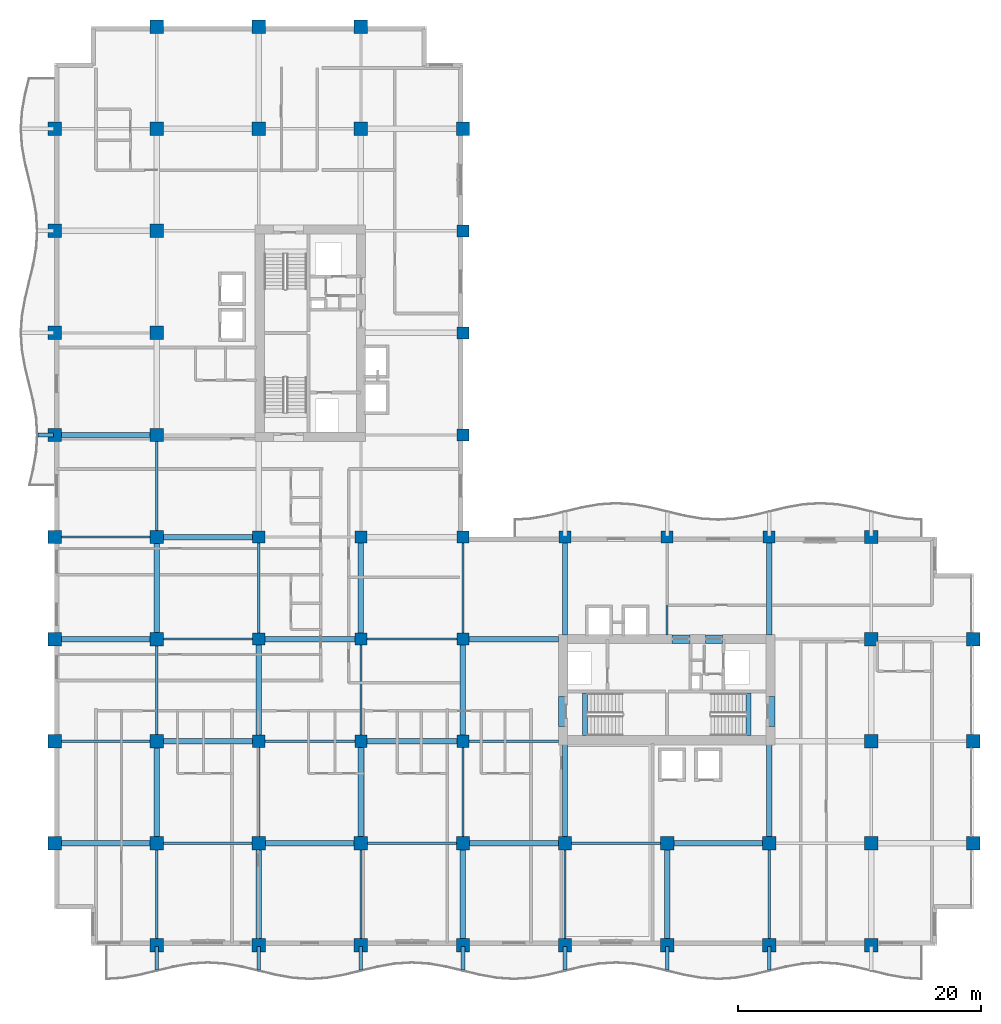
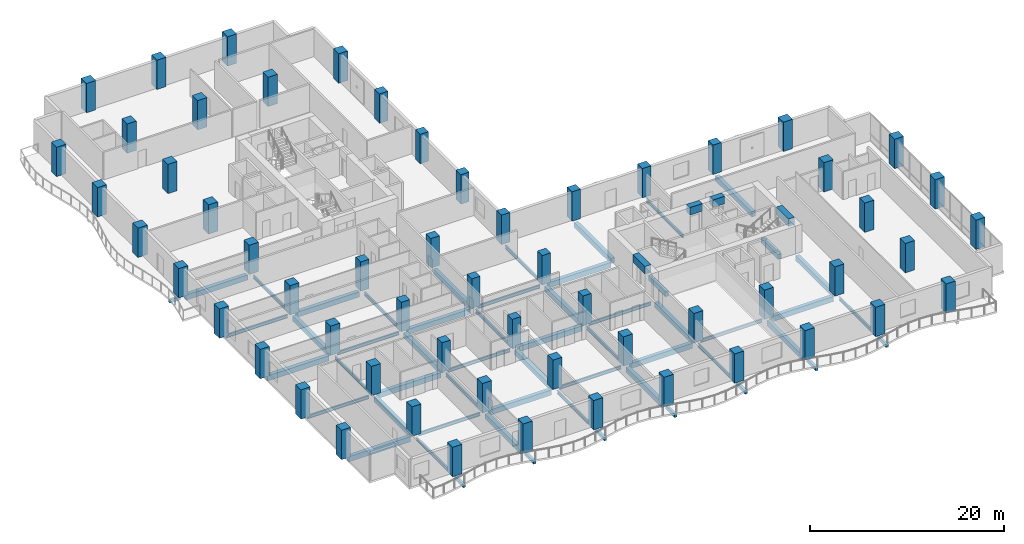
# One storey, part 1 of 22: 59 beams, 58 columns.
"""IFC4 building model written with IfcOpenShell, lengths in metres."""

from ifc_helpers import new_model, si_unit, direction, frame, origin, origin_2d, place, context, subcontext, project, spatial, rectangle, i_section, extrude, material, material_profile, profile_set, type_object, element, save


model = new_model("IFC4")

# Units and contexts
model_context = context("Model", 3, precision=1e-05, world=origin(), true_north=direction((0.0, 1.0)))
body_context = subcontext(model_context, "Body", "Model", "MODEL_VIEW")
ifc_project = project(units=[si_unit("LENGTHUNIT", "METRE"), si_unit("AREAUNIT", "SQUARE_METRE"), si_unit("VOLUMEUNIT", "CUBIC_METRE"), si_unit("PLANEANGLEUNIT", "RADIAN"), si_unit("MASSUNIT", "GRAM", prefix="KILO")], contexts=[model_context])

# Site, building, storey
site_placement = place(None, origin())
site = spatial("IfcSite", under=ifc_project, at=site_placement, CompositionType="ELEMENT")
building_placement = place(site_placement, origin())
building = spatial("IfcBuilding", under=site, at=building_placement, Name="Koriwani Terraces Tower", CompositionType="ELEMENT")
storey_placement = place(building_placement, frame((0.0, 0.0, 182.800048828125)))
storey = spatial("IfcBuildingStorey", under=building, at=storey_placement, Name="L44", CompositionType="ELEMENT", Elevation=182.800048828125)

# Columns
ifc_material_1 = material(Name="Concrete C50/60", Category="concrete")
ifc_material_profile_1 = material_profile(ifc_material_1, rectangle(XDim=1.0, YDim=1.0, at=origin_2d()), Name="Concrete C50/60", Category="LoadBearing")
ifc_profile_set_1 = profile_set([ifc_material_profile_1], Name="Concrete C50/60")
column_type_1 = type_object("IfcColumnType", Name="COL_RC_1000X1000", PredefinedType="COLUMN", material=ifc_profile_set_1)
for number, where, z_axis, x_axis, name in (
    (1, (16.800048828125, 16.800048828125, 0.0), (0.0, 0.0, 1.0), (1.0, 0.0, 0.0), "L44 Column 3/C"),
    (2, (16.800048828125, 25.199951171875, 0.0), (0.0, 0.0, 1.0), (1.0, 0.0, 0.0), "L44 Column 3/D"),
    (3, (16.800048828125, 33.60009765625, 0.0), (0.0, 0.0, 1.0), (1.0, 0.0, 0.0), "L44 Column 3/E"),
    (4, (25.199951171875, 16.800048828125, 0.0), (0.0, 0.0, 1.0), (1.0, 0.0, 0.0), "L44 Column 4/C"),
    (5, (25.199951171875, 25.199951171875, 0.0), (0.0, 0.0, 1.0), (1.0, 0.0, 0.0), "L44 Column 4/D"),
    (6, (25.199951171875, 33.60009765625, 0.0), (0.0, 0.0, 1.0), (1.0, 0.0, 0.0), "L44 Column 4/E"),
    (7, (33.60009765625, 16.800048828125, 0.0), (0.0, 0.0, 1.0), (1.0, 0.0, 0.0), "L44 Column 5/C"),
    (8, (33.60009765625, 25.199951171875, 0.0), (0.0, 0.0, 1.0), (1.0, 0.0, 0.0), "L44 Column 5/D"),
    (9, (33.60009765625, 33.60009765625, 0.0), (0.0, 0.0, 1.0), (1.0, 0.0, 0.0), "L44 Column 5/E"),
    (10, (33.60009765625, 42.0, 0.0), (0.0, 0.0, 1.0), (1.0, 0.0, 0.0), "L44 Column 5/F"),
    (11, (33.60009765625, 50.39990234375, 0.0), (0.0, 0.0, 1.0), (1.0, 0.0, 0.0), "L44 Column 5/G"),
    (12, (33.60009765625, 58.800048828125, 0.0), (0.0, 0.0, 1.0), (1.0, 0.0, 0.0), "L44 Column 5/H"),
    (13, (42.0, 33.60009765625, 0.0), (0.0, 0.0, 1.0), (1.0, 0.0, 0.0), "L44 Column 6/E"),
    (14, (50.39990234375, 33.60009765625, 0.0), (0.0, 0.0, 1.0), (1.0, 0.0, 0.0), "L44 Column 7/E"),
    (15, (58.800048828125, 33.60009765625, 0.0), (0.0, 0.0, 1.0), (1.0, 0.0, 0.0), "L44 Column 8/E"),
):
    element("IfcColumn", number, at=place(storey_placement, frame(where, z_axis=z_axis, x_axis=x_axis)), inside=storey, type_object=column_type_1, Name=name, PredefinedType="COLUMN", context=body_context, shape_type="SweptSolid", body=[
        extrude(rectangle(XDim=1.0, YDim=1.0, at=origin_2d()), origin(), (0.0, 0.0, 1.0), 3.699951171875),
    ])
ifc_material_profile_2 = material_profile(ifc_material_1, rectangle(XDim=1.10009765625, YDim=1.10009765625, at=origin_2d()), Name="Concrete C50/60", Category="LoadBearing")
ifc_profile_set_2 = profile_set([ifc_material_profile_2], Name="Concrete C50/60")
column_type_2 = type_object("IfcColumnType", Name="COL_RC_1100X1100", PredefinedType="COLUMN", material=ifc_profile_set_2)
for number, where, z_axis, x_axis, name in (
    (16, (0.0, 8.39990234375, 0.0), (0.0, 0.0, 1.0), (1.0, 0.0, 0.0), "L44 Column 1/B"),
    (17, (0.0, 16.800048828125, 0.0), (0.0, 0.0, 1.0), (1.0, 0.0, 0.0), "L44 Column 1/C"),
    (18, (0.0, 25.199951171875, 0.0), (0.0, 0.0, 1.0), (1.0, 0.0, 0.0), "L44 Column 1/D"),
    (19, (0.0, 33.60009765625, 0.0), (0.0, 0.0, 1.0), (1.0, 0.0, 0.0), "L44 Column 1/E"),
    (20, (0.0, 42.0, 0.0), (0.0, 0.0, 1.0), (1.0, 0.0, 0.0), "L44 Column 1/F"),
    (21, (0.0, 50.39990234375, 0.0), (0.0, 0.0, 1.0), (1.0, 0.0, 0.0), "L44 Column 1/G"),
    (22, (0.0, 58.800048828125, 0.0), (0.0, 0.0, 1.0), (1.0, 0.0, 0.0), "L44 Column 1/H"),
    (23, (0.0, 67.199951171875, 0.0), (0.0, 0.0, 1.0), (1.0, 0.0, 0.0), "L44 Column 1/I"),
    (24, (8.39990234375, 0.0, 0.0), (0.0, 0.0, 1.0), (1.0, 0.0, 0.0), "L44 Column 2/A"),
    (25, (8.39990234375, 8.39990234375, 0.0), (0.0, 0.0, 1.0), (1.0, 0.0, 0.0), "L44 Column 2/B"),
    (26, (8.39990234375, 16.800048828125, 0.0), (0.0, 0.0, 1.0), (1.0, 0.0, 0.0), "L44 Column 2/C"),
    (27, (8.39990234375, 25.199951171875, 0.0), (0.0, 0.0, 1.0), (1.0, 0.0, 0.0), "L44 Column 2/D"),
    (28, (8.39990234375, 33.60009765625, 0.0), (0.0, 0.0, 1.0), (1.0, 0.0, 0.0), "L44 Column 2/E"),
    (29, (8.39990234375, 42.0, 0.0), (0.0, 0.0, 1.0), (1.0, 0.0, 0.0), "L44 Column 2/F"),
    (30, (8.39990234375, 50.39990234375, 0.0), (0.0, 0.0, 1.0), (1.0, 0.0, 0.0), "L44 Column 2/G"),
    (31, (8.39990234375, 58.800048828125, 0.0), (0.0, 0.0, 1.0), (1.0, 0.0, 0.0), "L44 Column 2/H"),
    (32, (8.39990234375, 67.199951171875, 0.0), (0.0, 0.0, 1.0), (1.0, 0.0, 0.0), "L44 Column 2/I"),
    (33, (8.39990234375, 75.60009765625, 0.0), (0.0, 0.0, 1.0), (1.0, 0.0, 0.0), "L44 Column 2/J"),
    (34, (16.800048828125, 0.0, 0.0), (0.0, 0.0, 1.0), (1.0, 0.0, 0.0), "L44 Column 3/A"),
    (35, (16.800048828125, 8.39990234375, 0.0), (0.0, 0.0, 1.0), (1.0, 0.0, 0.0), "L44 Column 3/B"),
    (36, (16.800048828125, 67.199951171875, 0.0), (0.0, 0.0, 1.0), (1.0, 0.0, 0.0), "L44 Column 3/I"),
    (37, (16.800048828125, 75.60009765625, 0.0), (0.0, 0.0, 1.0), (1.0, 0.0, 0.0), "L44 Column 3/J"),
    (38, (25.199951171875, 0.0, 0.0), (0.0, 0.0, 1.0), (1.0, 0.0, 0.0), "L44 Column 4/A"),
    (39, (25.199951171875, 8.39990234375, 0.0), (0.0, 0.0, 1.0), (1.0, 0.0, 0.0), "L44 Column 4/B"),
    (40, (25.199951171875, 67.199951171875, 0.0), (0.0, 0.0, 1.0), (1.0, 0.0, 0.0), "L44 Column 4/I"),
    (41, (25.199951171875, 75.60009765625, 0.0), (0.0, 0.0, 1.0), (1.0, 0.0, 0.0), "L44 Column 4/J"),
    (42, (33.60009765625, 0.0, 0.0), (0.0, 0.0, 1.0), (1.0, 0.0, 0.0), "L44 Column 5/A"),
    (43, (33.60009765625, 8.39990234375, 0.0), (0.0, 0.0, 1.0), (1.0, 0.0, 0.0), "L44 Column 5/B"),
    (44, (33.60009765625, 67.199951171875, 0.0), (0.0, 0.0, 1.0), (1.0, 0.0, 0.0), "L44 Column 5/I"),
    (45, (42.0, 0.0, 0.0), (0.0, 0.0, 1.0), (1.0, 0.0, 0.0), "L44 Column 6/A"),
    (46, (42.0, 8.39990234375, 0.0), (0.0, 0.0, 1.0), (1.0, 0.0, 0.0), "L44 Column 6/B"),
    (47, (50.39990234375, 0.0, 0.0), (0.0, 0.0, 1.0), (1.0, 0.0, 0.0), "L44 Column 7/A"),
    (48, (50.39990234375, 8.39990234375, 0.0), (0.0, 0.0, 1.0), (1.0, 0.0, 0.0), "L44 Column 7/B"),
    (49, (58.800048828125, 0.0, 0.0), (0.0, 0.0, 1.0), (1.0, 0.0, 0.0), "L44 Column 8/A"),
    (50, (58.800048828125, 8.39990234375, 0.0), (0.0, 0.0, 1.0), (1.0, 0.0, 0.0), "L44 Column 8/B"),
    (51, (67.199951171875, 0.0, 0.0), (0.0, 0.0, 1.0), (1.0, 0.0, 0.0), "L44 Column 9/A"),
    (52, (67.199951171875, 8.39990234375, 0.0), (0.0, 0.0, 1.0), (1.0, 0.0, 0.0), "L44 Column 9/B"),
    (53, (67.199951171875, 16.800048828125, 0.0), (0.0, 0.0, 1.0), (1.0, 0.0, 0.0), "L44 Column 9/C"),
    (54, (67.199951171875, 25.199951171875, 0.0), (0.0, 0.0, 1.0), (1.0, 0.0, 0.0), "L44 Column 9/D"),
    (55, (67.199951171875, 33.60009765625, 0.0), (0.0, 0.0, 1.0), (1.0, 0.0, 0.0), "L44 Column 9/E"),
    (56, (75.60009765625, 8.39990234375, 0.0), (0.0, 0.0, 1.0), (1.0, 0.0, 0.0), "L44 Column 10/B"),
    (57, (75.60009765625, 16.800048828125, 0.0), (0.0, 0.0, 1.0), (1.0, 0.0, 0.0), "L44 Column 10/C"),
    (58, (75.60009765625, 25.199951171875, 0.0), (0.0, 0.0, 1.0), (1.0, 0.0, 0.0), "L44 Column 10/D"),
):
    element("IfcColumn", number, at=place(storey_placement, frame(where, z_axis=z_axis, x_axis=x_axis)), inside=storey, type_object=column_type_2, Name=name, PredefinedType="COLUMN", context=body_context, shape_type="SweptSolid", body=[
        extrude(rectangle(XDim=1.10009765625, YDim=1.10009765625, at=origin_2d()), origin(), (0.0, 0.0, 1.0), 3.699951171875),
    ])

# Beams
ifc_material_2 = material(Name="Concrete C40/50", Category="concrete")
ifc_material_profile_3 = material_profile(ifc_material_2, rectangle(XDim=0.300048828125, YDim=0.39990234375, at=origin_2d()), Name="Concrete C40/50", Category="LoadBearing")
ifc_profile_set_3 = profile_set([ifc_material_profile_3], Name="Concrete C40/50")
beam_type_1 = type_object("IfcBeamType", Name="BEAM_RC_BALCONY_RIB_300X400", PredefinedType="JOIST", material=ifc_profile_set_3)
for number, where, z_axis, x_axis, name in (
    (59, (8.39990234375, -2.02490234375, -0.429931640625), (0.0, 1.0, 0.0), (-1.0, 0.0, 0.0), "L44 Balcony Bracket Rib S-1"),
    (60, (16.800048828125, -2.02490234375, -0.429931640625), (0.0, 1.0, 0.0), (-1.0, 0.0, 0.0), "L44 Balcony Bracket Rib S-2"),
    (61, (25.199951171875, -2.02490234375, -0.429931640625), (0.0, 1.0, 0.0), (-1.0, 0.0, 0.0), "L44 Balcony Bracket Rib S-3"),
    (62, (33.60009765625, -2.02490234375, -0.429931640625), (0.0, 1.0, 0.0), (-1.0, 0.0, 0.0), "L44 Balcony Bracket Rib S-4"),
    (63, (42.0, -2.02490234375, -0.429931640625), (0.0, 1.0, 0.0), (-1.0, 0.0, 0.0), "L44 Balcony Bracket Rib S-5"),
    (64, (50.39990234375, -2.02490234375, -0.429931640625), (0.0, 1.0, 0.0), (-1.0, 0.0, 0.0), "L44 Balcony Bracket Rib S-6"),
    (65, (58.800048828125, -2.02490234375, -0.429931640625), (0.0, 1.0, 0.0), (-1.0, 0.0, 0.0), "L44 Balcony Bracket Rib S-7"),
):
    element("IfcBeam", number, at=place(storey_placement, frame(where, z_axis=z_axis, x_axis=x_axis)), inside=storey, type_object=beam_type_1, Name=name, PredefinedType="JOIST", context=body_context, shape_type="SweptSolid", body=[
        extrude(rectangle(XDim=0.300048828125, YDim=0.39990234375, at=origin_2d()), origin(), (0.0, 0.0, 1.0), 1.9248046875),
    ])
beam_1_placement = place(storey_placement, frame((-1.35009765625, 42.0, -0.429931640625), z_axis=(1.0, 0.0, 0.0), x_axis=(0.0, 1.0, 0.0)))
element("IfcBeam", 66, at=beam_1_placement, inside=storey, type_object=beam_type_1, Name="L44 Balcony Bracket Rib W-1", PredefinedType="JOIST", context=body_context, shape_type="SweptSolid", body=[
    extrude(rectangle(XDim=0.300048828125, YDim=0.39990234375, at=origin_2d()), origin(), (0.0, 0.0, 1.0), 1.25),
])
ifc_material_3 = material(Name="Concrete C60/75", Category="concrete")
ifc_material_profile_4 = material_profile(ifc_material_3, rectangle(XDim=0.699951171875, YDim=0.949951171875, at=origin_2d()), Name="Concrete C60/75", Category="LoadBearing")
ifc_profile_set_4 = profile_set([ifc_material_profile_4], Name="Concrete C60/75")
beam_type_2 = type_object("IfcBeamType", Name="BEAM_RC_COUPLING_700X950", PredefinedType="LINTEL", material=ifc_profile_set_4)
beam_2_placement = place(storey_placement, frame((50.800048828125, 25.199951171875, 2.994873046875), z_axis=(1.0, 0.0, 0.0), x_axis=(0.0, 1.0, 0.0)))
element("IfcBeam", 67, at=beam_2_placement, inside=storey, type_object=beam_type_2, Name="L44 Core Coupling Lintel Beam EN1", PredefinedType="LINTEL", context=body_context, shape_type="SweptSolid", body=[
    extrude(rectangle(XDim=0.699951171875, YDim=0.949951171875, at=origin_2d()), origin(), (0.0, 0.0, 1.0), 1.47998046875),
])
beam_3_placement = place(storey_placement, frame((53.550048828125, 25.199951171875, 2.994873046875), z_axis=(1.0, 0.0, 0.0), x_axis=(0.0, 1.0, 0.0)))
element("IfcBeam", 68, at=beam_3_placement, inside=storey, type_object=beam_type_2, Name="L44 Core Coupling Lintel Beam EN2", PredefinedType="LINTEL", context=body_context, shape_type="SweptSolid", body=[
    extrude(rectangle(XDim=0.699951171875, YDim=0.949951171875, at=origin_2d()), origin(), (0.0, 0.0, 1.0), 1.39990234375),
])
for number, where, z_axis, x_axis, name in (
    (69, (41.824951171875, 18.0, 2.994873046875), (0.0, 1.0, 0.0), (-1.0, 0.0, 0.0), "L44 Core Coupling Lintel Beam EW"),
    (70, (58.925048828125, 18.0, 2.994873046875), (0.0, 1.0, 0.0), (-1.0, 0.0, 0.0), "L44 Core Coupling Lintel Beam EE"),
):
    element("IfcBeam", number, at=place(storey_placement, frame(where, z_axis=z_axis, x_axis=x_axis)), inside=storey, type_object=beam_type_2, Name=name, PredefinedType="LINTEL", context=body_context, shape_type="SweptSolid", body=[
        extrude(rectangle(XDim=0.699951171875, YDim=0.949951171875, at=origin_2d()), origin(), (0.0, 0.0, 1.0), 2.5),
    ])
ifc_material_profile_5 = material_profile(ifc_material_2, rectangle(XDim=0.39990234375, YDim=0.60009765625, at=origin_2d()), Name="Concrete C40/50", Category="LoadBearing")
ifc_profile_set_5 = profile_set([ifc_material_profile_5], Name="Concrete C40/50")
beam_type_3 = type_object("IfcBeamType", Name="BEAM_RC_GRID_400X600", PredefinedType="BEAM", material=ifc_profile_set_5)
for number, where, z_axis, x_axis, name in (
    (71, (43.655029296875, 17.25, -0.300048828125), (0.0, 1.0, 0.0), (-1.0, 0.0, 0.0), "L44 Stairwell Header Trimmer Beam ST-E1"),
    (72, (57.094970703125, 17.25, -0.300048828125), (0.0, 1.0, 0.0), (-1.0, 0.0, 0.0), "L44 Stairwell Header Trimmer Beam ST-E2"),
):
    element("IfcBeam", number, at=place(storey_placement, frame(where, z_axis=z_axis, x_axis=x_axis)), inside=storey, type_object=beam_type_3, Name=name, PredefinedType="BEAM", context=body_context, shape_type="SweptSolid", body=[
        extrude(rectangle(XDim=0.39990234375, YDim=0.60009765625, at=origin_2d()), origin(), (0.0, 0.0, 1.0), 3.5),
    ])
ifc_material_profile_6 = material_profile(ifc_material_1, rectangle(XDim=0.449951171875, YDim=0.64990234375, at=origin_2d()), Name="Concrete C50/60", Category="LoadBearing")
ifc_profile_set_6 = profile_set([ifc_material_profile_6], Name="Concrete C50/60")
beam_type_4 = type_object("IfcBeamType", Name="BEAM_RC_GRID_450X650", PredefinedType="BEAM", material=ifc_profile_set_6)
beam_4_placement = place(storey_placement, frame((0.530029296875, 8.39990234375, -0.554931640625), z_axis=(1.0, 0.0, 0.0), x_axis=(0.0, 1.0, 0.0)))
element("IfcBeam", 73, at=beam_4_placement, inside=storey, type_object=beam_type_4, Name="L44 Grid Beam B (0.0-8.4m)", PredefinedType="BEAM", context=body_context, shape_type="SweptSolid", body=[
    extrude(rectangle(XDim=0.449951171875, YDim=0.64990234375, at=origin_2d()), origin(), (0.0, 0.0, 1.0), 7.340087890625),
])
beam_5_placement = place(storey_placement, frame((17.330078125, 8.39990234375, -0.554931640625), z_axis=(1.0, 0.0, 0.0), x_axis=(0.0, 1.0, 0.0)))
element("IfcBeam", 74, at=beam_5_placement, inside=storey, type_object=beam_type_4, Name="L44 Grid Beam B (16.8-25.2m)", PredefinedType="BEAM", context=body_context, shape_type="SweptSolid", body=[
    extrude(rectangle(XDim=0.449951171875, YDim=0.64990234375, at=origin_2d()), origin(), (0.0, 0.0, 1.0), 7.33984375),
])
for number, where, z_axis, x_axis, name in (
    (75, (34.1298828125, 8.39990234375, -0.554931640625), (1.0, 0.0, 0.0), (0.0, 1.0, 0.0), "L44 Grid Beam B (33.6-42.0m)"),
    (76, (50.929931640625, 8.39990234375, -0.554931640625), (1.0, 0.0, 0.0), (0.0, 1.0, 0.0), "L44 Grid Beam B (50.4-58.8m)"),
):
    element("IfcBeam", number, at=place(storey_placement, frame(where, z_axis=z_axis, x_axis=x_axis)), inside=storey, type_object=beam_type_4, Name=name, PredefinedType="BEAM", context=body_context, shape_type="SweptSolid", body=[
        extrude(rectangle(XDim=0.449951171875, YDim=0.64990234375, at=origin_2d()), origin(), (0.0, 0.0, 1.0), 7.340087890625),
    ])
beam_6_placement = place(storey_placement, frame((8.929931640625, 16.800048828125, -0.554931640625), z_axis=(1.0, 0.0, 0.0), x_axis=(0.0, 1.0, 0.0)))
element("IfcBeam", 77, at=beam_6_placement, inside=storey, type_object=beam_type_4, Name="L44 Grid Beam C (8.4-16.8m)", PredefinedType="BEAM", context=body_context, shape_type="SweptSolid", body=[
    extrude(rectangle(XDim=0.449951171875, YDim=0.64990234375, at=origin_2d()), origin(), (0.0, 0.0, 1.0), 7.39013671875),
])
beam_7_placement = place(storey_placement, frame((25.679931640625, 16.800048828125, -0.554931640625), z_axis=(1.0, 0.0, 0.0), x_axis=(0.0, 1.0, 0.0)))
element("IfcBeam", 78, at=beam_7_placement, inside=storey, type_object=beam_type_4, Name="L44 Grid Beam C (25.2-33.6m)", PredefinedType="BEAM", context=body_context, shape_type="SweptSolid", body=[
    extrude(rectangle(XDim=0.449951171875, YDim=0.64990234375, at=origin_2d()), origin(), (0.0, 0.0, 1.0), 7.440185546875),
])
beam_8_placement = place(storey_placement, frame((0.530029296875, 25.199951171875, -0.554931640625), z_axis=(1.0, 0.0, 0.0), x_axis=(0.0, 1.0, 0.0)))
element("IfcBeam", 79, at=beam_8_placement, inside=storey, type_object=beam_type_4, Name="L44 Grid Beam D (0.0-8.4m)", PredefinedType="BEAM", context=body_context, shape_type="SweptSolid", body=[
    extrude(rectangle(XDim=0.449951171875, YDim=0.64990234375, at=origin_2d()), origin(), (0.0, 0.0, 1.0), 7.340087890625),
])
beam_9_placement = place(storey_placement, frame((17.280029296875, 25.199951171875, -0.554931640625), z_axis=(1.0, 0.0, 0.0), x_axis=(0.0, 1.0, 0.0)))
element("IfcBeam", 80, at=beam_9_placement, inside=storey, type_object=beam_type_4, Name="L44 Grid Beam D (16.8-25.2m)", PredefinedType="BEAM", context=body_context, shape_type="SweptSolid", body=[
    extrude(rectangle(XDim=0.449951171875, YDim=0.64990234375, at=origin_2d()), origin(), (0.0, 0.0, 1.0), 7.43994140625),
])
beam_10_placement = place(storey_placement, frame((34.080078125, 25.199951171875, -0.554931640625), z_axis=(1.0, 0.0, 0.0), x_axis=(0.0, 1.0, 0.0)))
element("IfcBeam", 81, at=beam_10_placement, inside=storey, type_object=beam_type_4, Name="L44 Grid Beam D (33.6-42.0m)", PredefinedType="BEAM", context=body_context, shape_type="SweptSolid", body=[
    extrude(rectangle(XDim=0.449951171875, YDim=0.64990234375, at=origin_2d()), origin(), (0.0, 0.0, 1.0), 7.389892578125),
])
beam_11_placement = place(storey_placement, frame((8.929931640625, 33.60009765625, -0.554931640625), z_axis=(1.0, 0.0, 0.0), x_axis=(0.0, 1.0, 0.0)))
element("IfcBeam", 82, at=beam_11_placement, inside=storey, type_object=beam_type_4, Name="L44 Grid Beam E (8.4-16.8m)", PredefinedType="BEAM", context=body_context, shape_type="SweptSolid", body=[
    extrude(rectangle(XDim=0.449951171875, YDim=0.64990234375, at=origin_2d()), origin(), (0.0, 0.0, 1.0), 7.39013671875),
])
for number, where, z_axis, x_axis, name in (
    (83, (0.530029296875, 42.0, -0.554931640625), (1.0, 0.0, 0.0), (0.0, 1.0, 0.0), "L44 Grid Beam F (0.0-8.4m)"),
    (84, (8.39990234375, 8.929931640625, -0.554931640625), (0.0, 1.0, 0.0), (-1.0, 0.0, 0.0), "L44 Grid Beam 2 (8.4-16.8m)"),
    (85, (8.39990234375, 25.72998046875, -0.554931640625), (0.0, 1.0, 0.0), (-1.0, 0.0, 0.0), "L44 Grid Beam 2 (25.2-33.6m)"),
    (86, (16.800048828125, 0.530029296875, -0.554931640625), (0.0, 1.0, 0.0), (-1.0, 0.0, 0.0), "L44 Grid Beam 3 (0.0-8.4m)"),
):
    element("IfcBeam", number, at=place(storey_placement, frame(where, z_axis=z_axis, x_axis=x_axis)), inside=storey, type_object=beam_type_4, Name=name, PredefinedType="BEAM", context=body_context, shape_type="SweptSolid", body=[
        extrude(rectangle(XDim=0.449951171875, YDim=0.64990234375, at=origin_2d()), origin(), (0.0, 0.0, 1.0), 7.340087890625),
    ])
beam_12_placement = place(storey_placement, frame((16.800048828125, 17.280029296875, -0.554931640625), z_axis=(0.0, 1.0, 0.0), x_axis=(-1.0, 0.0, 0.0)))
element("IfcBeam", 87, at=beam_12_placement, inside=storey, type_object=beam_type_4, Name="L44 Grid Beam 3 (16.8-25.2m)", PredefinedType="BEAM", context=body_context, shape_type="SweptSolid", body=[
    extrude(rectangle(XDim=0.449951171875, YDim=0.64990234375, at=origin_2d()), origin(), (0.0, 0.0, 1.0), 7.43994140625),
])
beam_13_placement = place(storey_placement, frame((25.199951171875, 8.929931640625, -0.554931640625), z_axis=(0.0, 1.0, 0.0), x_axis=(-1.0, 0.0, 0.0)))
element("IfcBeam", 88, at=beam_13_placement, inside=storey, type_object=beam_type_4, Name="L44 Grid Beam 4 (8.4-16.8m)", PredefinedType="BEAM", context=body_context, shape_type="SweptSolid", body=[
    extrude(rectangle(XDim=0.449951171875, YDim=0.64990234375, at=origin_2d()), origin(), (0.0, 0.0, 1.0), 7.39013671875),
])
beam_14_placement = place(storey_placement, frame((25.199951171875, 25.679931640625, -0.554931640625), z_axis=(0.0, 1.0, 0.0), x_axis=(-1.0, 0.0, 0.0)))
element("IfcBeam", 89, at=beam_14_placement, inside=storey, type_object=beam_type_4, Name="L44 Grid Beam 4 (25.2-33.6m)", PredefinedType="BEAM", context=body_context, shape_type="SweptSolid", body=[
    extrude(rectangle(XDim=0.449951171875, YDim=0.64990234375, at=origin_2d()), origin(), (0.0, 0.0, 1.0), 7.440185546875),
])
beam_15_placement = place(storey_placement, frame((33.60009765625, 0.530029296875, -0.554931640625), z_axis=(0.0, 1.0, 0.0), x_axis=(-1.0, 0.0, 0.0)))
element("IfcBeam", 90, at=beam_15_placement, inside=storey, type_object=beam_type_4, Name="L44 Grid Beam 5 (0.0-8.4m)", PredefinedType="BEAM", context=body_context, shape_type="SweptSolid", body=[
    extrude(rectangle(XDim=0.449951171875, YDim=0.64990234375, at=origin_2d()), origin(), (0.0, 0.0, 1.0), 7.340087890625),
])
beam_16_placement = place(storey_placement, frame((33.60009765625, 17.280029296875, -0.554931640625), z_axis=(0.0, 1.0, 0.0), x_axis=(-1.0, 0.0, 0.0)))
element("IfcBeam", 91, at=beam_16_placement, inside=storey, type_object=beam_type_4, Name="L44 Grid Beam 5 (16.8-25.2m)", PredefinedType="BEAM", context=body_context, shape_type="SweptSolid", body=[
    extrude(rectangle(XDim=0.449951171875, YDim=0.64990234375, at=origin_2d()), origin(), (0.0, 0.0, 1.0), 7.43994140625),
])
beam_17_placement = place(storey_placement, frame((42.0, 8.929931640625, -0.554931640625), z_axis=(0.0, 1.0, 0.0), x_axis=(-1.0, 0.0, 0.0)))
element("IfcBeam", 92, at=beam_17_placement, inside=storey, type_object=beam_type_4, Name="L44 Grid Beam 6 (8.4-16.8m)", PredefinedType="BEAM", context=body_context, shape_type="SweptSolid", body=[
    extrude(rectangle(XDim=0.449951171875, YDim=0.64990234375, at=origin_2d()), origin(), (0.0, 0.0, 1.0), 7.590087890625),
])
beam_18_placement = place(storey_placement, frame((42.0, 25.554931640625, -0.554931640625), z_axis=(0.0, 1.0, 0.0), x_axis=(-1.0, 0.0, 0.0)))
element("IfcBeam", 93, at=beam_18_placement, inside=storey, type_object=beam_type_4, Name="L44 Grid Beam 6 (25.2-33.6m)", PredefinedType="BEAM", context=body_context, shape_type="SweptSolid", body=[
    extrude(rectangle(XDim=0.449951171875, YDim=0.64990234375, at=origin_2d()), origin(), (0.0, 0.0, 1.0), 7.565185546875),
])
beam_19_placement = place(storey_placement, frame((50.39990234375, 0.530029296875, -0.554931640625), z_axis=(0.0, 1.0, 0.0), x_axis=(-1.0, 0.0, 0.0)))
element("IfcBeam", 94, at=beam_19_placement, inside=storey, type_object=beam_type_4, Name="L44 Grid Beam 7 (0.0-8.4m)", PredefinedType="BEAM", context=body_context, shape_type="SweptSolid", body=[
    extrude(rectangle(XDim=0.449951171875, YDim=0.64990234375, at=origin_2d()), origin(), (0.0, 0.0, 1.0), 7.340087890625),
])
beam_20_placement = place(storey_placement, frame((58.800048828125, 8.929931640625, -0.554931640625), z_axis=(0.0, 1.0, 0.0), x_axis=(-1.0, 0.0, 0.0)))
element("IfcBeam", 95, at=beam_20_placement, inside=storey, type_object=beam_type_4, Name="L44 Grid Beam 8 (8.4-16.8m)", PredefinedType="BEAM", context=body_context, shape_type="SweptSolid", body=[
    extrude(rectangle(XDim=0.449951171875, YDim=0.64990234375, at=origin_2d()), origin(), (0.0, 0.0, 1.0), 7.590087890625),
])
beam_21_placement = place(storey_placement, frame((58.800048828125, 25.554931640625, -0.554931640625), z_axis=(0.0, 1.0, 0.0), x_axis=(-1.0, 0.0, 0.0)))
element("IfcBeam", 96, at=beam_21_placement, inside=storey, type_object=beam_type_4, Name="L44 Grid Beam 8 (25.2-33.6m)", PredefinedType="BEAM", context=body_context, shape_type="SweptSolid", body=[
    extrude(rectangle(XDim=0.449951171875, YDim=0.64990234375, at=origin_2d()), origin(), (0.0, 0.0, 1.0), 7.565185546875),
])
ifc_material_4 = material(Name="Steel ASTM A572 Grade 50", Category="steel")
ifc_material_profile_7 = material_profile(ifc_material_4, i_section(OverallWidth=0.180908203125, OverallDepth=0.4169921875, WebThickness=0.010986328125, FlangeThickness=0.018310546875, at=origin_2d()), Name="Steel ASTM A572 Grade 50", Category="LoadBearing")
ifc_profile_set_7 = profile_set([ifc_material_profile_7], Name="Steel ASTM A572 Grade 50")
beam_type_5 = type_object("IfcBeamType", Name="STEEL_BEAM_W410X85", PredefinedType="JOIST", material=ifc_profile_set_7)
for number, where, z_axis, x_axis, name in (
    (97, (8.929931640625, 8.39990234375, -0.4384765625), (1.0, 0.0, 0.0), (0.0, 1.0, 0.0), "L44 Grid Beam B (8.4-16.8m)"),
    (98, (25.72998046875, 8.39990234375, -0.4384765625), (1.0, 0.0, 0.0), (0.0, 1.0, 0.0), "L44 Grid Beam B (25.2-33.6m)"),
    (99, (42.530029296875, 8.39990234375, -0.4384765625), (1.0, 0.0, 0.0), (0.0, 1.0, 0.0), "L44 Grid Beam B (42.0-50.4m)"),
    (100, (0.530029296875, 16.800048828125, -0.4384765625), (1.0, 0.0, 0.0), (0.0, 1.0, 0.0), "L44 Grid Beam C (0.0-8.4m)"),
):
    element("IfcBeam", number, at=place(storey_placement, frame(where, z_axis=z_axis, x_axis=x_axis)), inside=storey, type_object=beam_type_5, Name=name, PredefinedType="JOIST", context=body_context, shape_type="SweptSolid", body=[
        extrude(i_section(OverallWidth=0.180908203125, OverallDepth=0.4169921875, WebThickness=0.010986328125, FlangeThickness=0.018310546875, at=origin_2d()), origin(), (0.0, 0.0, 1.0), 7.340087890625),
    ])
beam_22_placement = place(storey_placement, frame((17.280029296875, 16.800048828125, -0.4384765625), z_axis=(1.0, 0.0, 0.0), x_axis=(0.0, 1.0, 0.0)))
element("IfcBeam", 101, at=beam_22_placement, inside=storey, type_object=beam_type_5, Name="L44 Grid Beam C (16.8-25.2m)", PredefinedType="JOIST", context=body_context, shape_type="SweptSolid", body=[
    extrude(i_section(OverallWidth=0.180908203125, OverallDepth=0.4169921875, WebThickness=0.010986328125, FlangeThickness=0.018310546875, at=origin_2d()), origin(), (0.0, 0.0, 1.0), 7.43994140625),
])
beam_23_placement = place(storey_placement, frame((34.080078125, 16.800048828125, -0.4384765625), z_axis=(1.0, 0.0, 0.0), x_axis=(0.0, 1.0, 0.0)))
element("IfcBeam", 102, at=beam_23_placement, inside=storey, type_object=beam_type_5, Name="L44 Grid Beam C (33.6-42.0m)", PredefinedType="JOIST", context=body_context, shape_type="SweptSolid", body=[
    extrude(i_section(OverallWidth=0.180908203125, OverallDepth=0.4169921875, WebThickness=0.010986328125, FlangeThickness=0.018310546875, at=origin_2d()), origin(), (0.0, 0.0, 1.0), 7.389892578125),
])
beam_24_placement = place(storey_placement, frame((8.929931640625, 25.199951171875, -0.4384765625), z_axis=(1.0, 0.0, 0.0), x_axis=(0.0, 1.0, 0.0)))
element("IfcBeam", 103, at=beam_24_placement, inside=storey, type_object=beam_type_5, Name="L44 Grid Beam D (8.4-16.8m)", PredefinedType="JOIST", context=body_context, shape_type="SweptSolid", body=[
    extrude(i_section(OverallWidth=0.180908203125, OverallDepth=0.4169921875, WebThickness=0.010986328125, FlangeThickness=0.018310546875, at=origin_2d()), origin(), (0.0, 0.0, 1.0), 7.39013671875),
])
beam_25_placement = place(storey_placement, frame((25.679931640625, 25.199951171875, -0.4384765625), z_axis=(1.0, 0.0, 0.0), x_axis=(0.0, 1.0, 0.0)))
element("IfcBeam", 104, at=beam_25_placement, inside=storey, type_object=beam_type_5, Name="L44 Grid Beam D (25.2-33.6m)", PredefinedType="JOIST", context=body_context, shape_type="SweptSolid", body=[
    extrude(i_section(OverallWidth=0.180908203125, OverallDepth=0.4169921875, WebThickness=0.010986328125, FlangeThickness=0.018310546875, at=origin_2d()), origin(), (0.0, 0.0, 1.0), 7.440185546875),
])
for number, where, z_axis, x_axis, name in (
    (105, (0.530029296875, 33.60009765625, -0.4384765625), (1.0, 0.0, 0.0), (0.0, 1.0, 0.0), "L44 Grid Beam E (0.0-8.4m)"),
    (106, (8.39990234375, 0.530029296875, -0.4384765625), (0.0, 1.0, 0.0), (-1.0, 0.0, 0.0), "L44 Grid Beam 2 (0.0-8.4m)"),
):
    element("IfcBeam", number, at=place(storey_placement, frame(where, z_axis=z_axis, x_axis=x_axis)), inside=storey, type_object=beam_type_5, Name=name, PredefinedType="JOIST", context=body_context, shape_type="SweptSolid", body=[
        extrude(i_section(OverallWidth=0.180908203125, OverallDepth=0.4169921875, WebThickness=0.010986328125, FlangeThickness=0.018310546875, at=origin_2d()), origin(), (0.0, 0.0, 1.0), 7.340087890625),
    ])
beam_26_placement = place(storey_placement, frame((8.39990234375, 17.330078125, -0.4384765625), z_axis=(0.0, 1.0, 0.0), x_axis=(-1.0, 0.0, 0.0)))
element("IfcBeam", 107, at=beam_26_placement, inside=storey, type_object=beam_type_5, Name="L44 Grid Beam 2 (16.8-25.2m)", PredefinedType="JOIST", context=body_context, shape_type="SweptSolid", body=[
    extrude(i_section(OverallWidth=0.180908203125, OverallDepth=0.4169921875, WebThickness=0.010986328125, FlangeThickness=0.018310546875, at=origin_2d()), origin(), (0.0, 0.0, 1.0), 7.33984375),
])
beam_27_placement = place(storey_placement, frame((8.39990234375, 34.1298828125, -0.4384765625), z_axis=(0.0, 1.0, 0.0), x_axis=(-1.0, 0.0, 0.0)))
element("IfcBeam", 108, at=beam_27_placement, inside=storey, type_object=beam_type_5, Name="L44 Grid Beam 2 (33.6-42.0m)", PredefinedType="JOIST", context=body_context, shape_type="SweptSolid", body=[
    extrude(i_section(OverallWidth=0.180908203125, OverallDepth=0.4169921875, WebThickness=0.010986328125, FlangeThickness=0.018310546875, at=origin_2d()), origin(), (0.0, 0.0, 1.0), 7.340087890625),
])
beam_28_placement = place(storey_placement, frame((16.800048828125, 8.929931640625, -0.4384765625), z_axis=(0.0, 1.0, 0.0), x_axis=(-1.0, 0.0, 0.0)))
element("IfcBeam", 109, at=beam_28_placement, inside=storey, type_object=beam_type_5, Name="L44 Grid Beam 3 (8.4-16.8m)", PredefinedType="JOIST", context=body_context, shape_type="SweptSolid", body=[
    extrude(i_section(OverallWidth=0.180908203125, OverallDepth=0.4169921875, WebThickness=0.010986328125, FlangeThickness=0.018310546875, at=origin_2d()), origin(), (0.0, 0.0, 1.0), 7.39013671875),
])
beam_29_placement = place(storey_placement, frame((16.800048828125, 25.679931640625, -0.4384765625), z_axis=(0.0, 1.0, 0.0), x_axis=(-1.0, 0.0, 0.0)))
element("IfcBeam", 110, at=beam_29_placement, inside=storey, type_object=beam_type_5, Name="L44 Grid Beam 3 (25.2-33.6m)", PredefinedType="JOIST", context=body_context, shape_type="SweptSolid", body=[
    extrude(i_section(OverallWidth=0.180908203125, OverallDepth=0.4169921875, WebThickness=0.010986328125, FlangeThickness=0.018310546875, at=origin_2d()), origin(), (0.0, 0.0, 1.0), 7.440185546875),
])
beam_30_placement = place(storey_placement, frame((25.199951171875, 0.530029296875, -0.4384765625), z_axis=(0.0, 1.0, 0.0), x_axis=(-1.0, 0.0, 0.0)))
element("IfcBeam", 111, at=beam_30_placement, inside=storey, type_object=beam_type_5, Name="L44 Grid Beam 4 (0.0-8.4m)", PredefinedType="JOIST", context=body_context, shape_type="SweptSolid", body=[
    extrude(i_section(OverallWidth=0.180908203125, OverallDepth=0.4169921875, WebThickness=0.010986328125, FlangeThickness=0.018310546875, at=origin_2d()), origin(), (0.0, 0.0, 1.0), 7.340087890625),
])
beam_31_placement = place(storey_placement, frame((25.199951171875, 17.280029296875, -0.4384765625), z_axis=(0.0, 1.0, 0.0), x_axis=(-1.0, 0.0, 0.0)))
element("IfcBeam", 112, at=beam_31_placement, inside=storey, type_object=beam_type_5, Name="L44 Grid Beam 4 (16.8-25.2m)", PredefinedType="JOIST", context=body_context, shape_type="SweptSolid", body=[
    extrude(i_section(OverallWidth=0.180908203125, OverallDepth=0.4169921875, WebThickness=0.010986328125, FlangeThickness=0.018310546875, at=origin_2d()), origin(), (0.0, 0.0, 1.0), 7.43994140625),
])
beam_32_placement = place(storey_placement, frame((33.60009765625, 8.929931640625, -0.4384765625), z_axis=(0.0, 1.0, 0.0), x_axis=(-1.0, 0.0, 0.0)))
element("IfcBeam", 113, at=beam_32_placement, inside=storey, type_object=beam_type_5, Name="L44 Grid Beam 5 (8.4-16.8m)", PredefinedType="JOIST", context=body_context, shape_type="SweptSolid", body=[
    extrude(i_section(OverallWidth=0.180908203125, OverallDepth=0.4169921875, WebThickness=0.010986328125, FlangeThickness=0.018310546875, at=origin_2d()), origin(), (0.0, 0.0, 1.0), 7.39013671875),
])
beam_33_placement = place(storey_placement, frame((33.60009765625, 25.679931640625, -0.4384765625), z_axis=(0.0, 1.0, 0.0), x_axis=(-1.0, 0.0, 0.0)))
element("IfcBeam", 114, at=beam_33_placement, inside=storey, type_object=beam_type_5, Name="L44 Grid Beam 5 (25.2-33.6m)", PredefinedType="JOIST", context=body_context, shape_type="SweptSolid", body=[
    extrude(i_section(OverallWidth=0.180908203125, OverallDepth=0.4169921875, WebThickness=0.010986328125, FlangeThickness=0.018310546875, at=origin_2d()), origin(), (0.0, 0.0, 1.0), 7.440185546875),
])
beam_34_placement = place(storey_placement, frame((42.0, 0.530029296875, -0.4384765625), z_axis=(0.0, 1.0, 0.0), x_axis=(-1.0, 0.0, 0.0)))
element("IfcBeam", 115, at=beam_34_placement, inside=storey, type_object=beam_type_5, Name="L44 Grid Beam 6 (0.0-8.4m)", PredefinedType="JOIST", context=body_context, shape_type="SweptSolid", body=[
    extrude(i_section(OverallWidth=0.180908203125, OverallDepth=0.4169921875, WebThickness=0.010986328125, FlangeThickness=0.018310546875, at=origin_2d()), origin(), (0.0, 0.0, 1.0), 7.340087890625),
])
beam_35_placement = place(storey_placement, frame((50.39990234375, 25.554931640625, -0.4384765625), z_axis=(0.0, 1.0, 0.0), x_axis=(-1.0, 0.0, 0.0)))
element("IfcBeam", 116, at=beam_35_placement, inside=storey, type_object=beam_type_5, Name="L44 Grid Beam 7 (25.2-33.6m)", PredefinedType="JOIST", context=body_context, shape_type="SweptSolid", body=[
    extrude(i_section(OverallWidth=0.180908203125, OverallDepth=0.4169921875, WebThickness=0.010986328125, FlangeThickness=0.018310546875, at=origin_2d()), origin(), (0.0, 0.0, 1.0), 7.565185546875),
])
beam_36_placement = place(storey_placement, frame((58.800048828125, 0.530029296875, -0.4384765625), z_axis=(0.0, 1.0, 0.0), x_axis=(-1.0, 0.0, 0.0)))
element("IfcBeam", 117, at=beam_36_placement, inside=storey, type_object=beam_type_5, Name="L44 Grid Beam 8 (0.0-8.4m)", PredefinedType="JOIST", context=body_context, shape_type="SweptSolid", body=[
    extrude(i_section(OverallWidth=0.180908203125, OverallDepth=0.4169921875, WebThickness=0.010986328125, FlangeThickness=0.018310546875, at=origin_2d()), origin(), (0.0, 0.0, 1.0), 7.340087890625),
])

save(model, "model.ifc")
